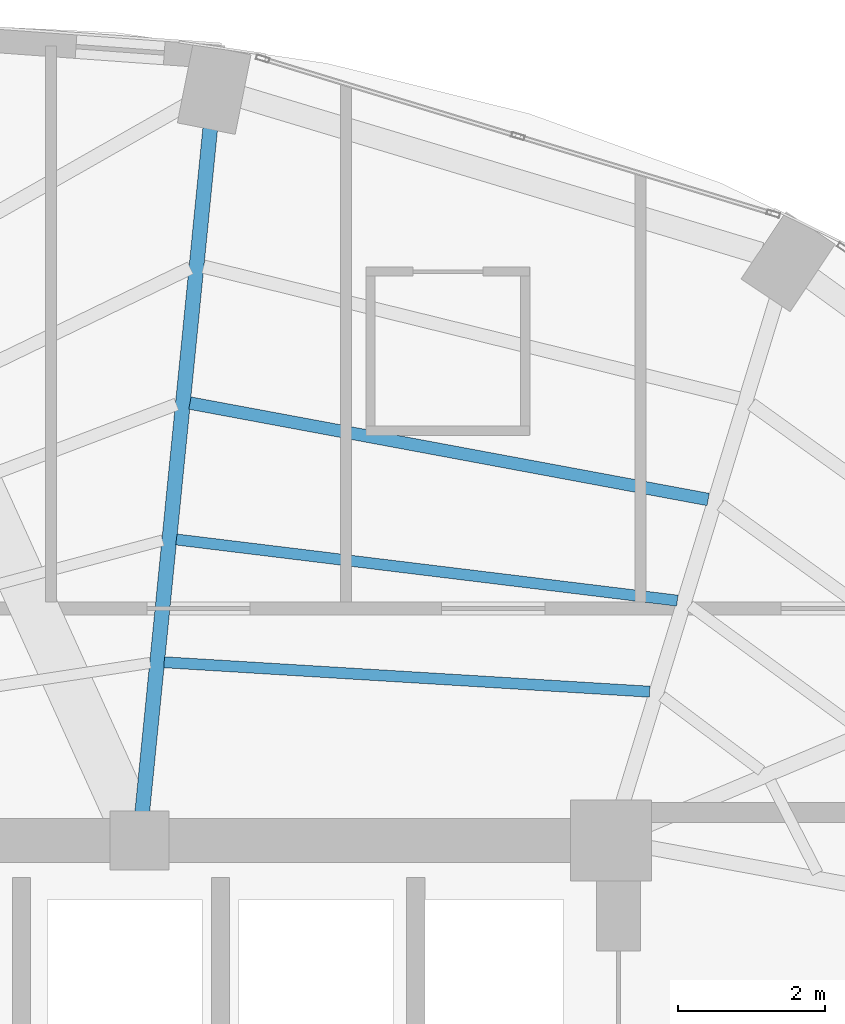
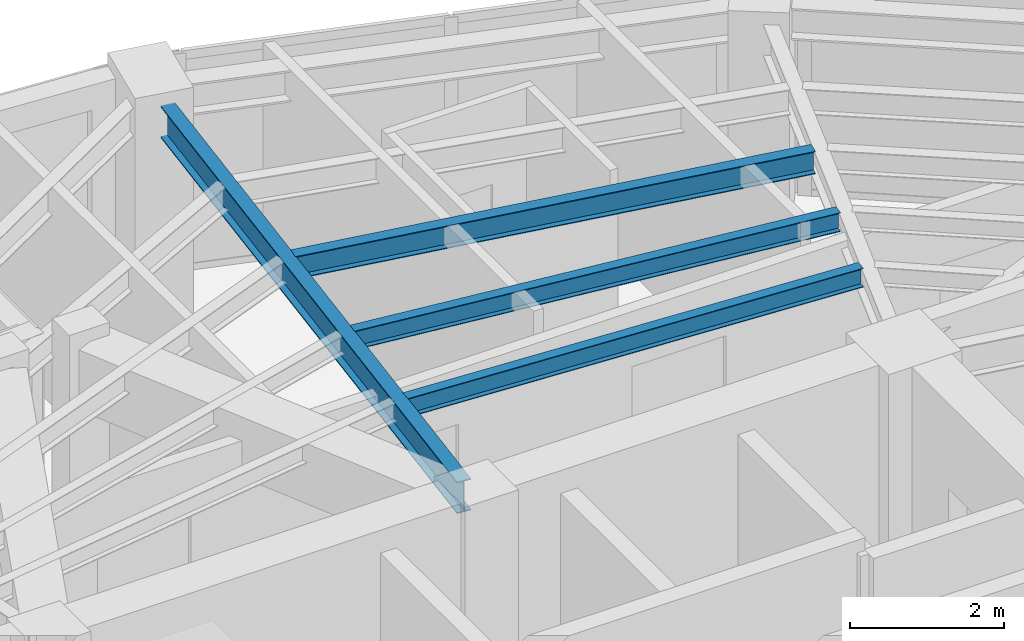
# One storey, part 12 of 23: 4 beams.
"""IFC4 building model written with IfcOpenShell, lengths in metres."""

from ifc_helpers import new_model, si_unit, direction, frame, origin, origin_2d, place, context, subcontext, project, spatial, i_section, extrude, material, material_profile, profile_set, type_object, element, save


model = new_model("IFC4")

# Units and contexts
model_context = context("Model", 3, precision=1e-05, world=origin(), true_north=direction((0.0, 1.0)))
body_context = subcontext(model_context, "Body", "Model", "MODEL_VIEW")
ifc_project = project(units=[si_unit("LENGTHUNIT", "METRE"), si_unit("AREAUNIT", "SQUARE_METRE"), si_unit("VOLUMEUNIT", "CUBIC_METRE"), si_unit("PLANEANGLEUNIT", "RADIAN"), si_unit("MASSUNIT", "GRAM", prefix="KILO")], contexts=[model_context])

# Site, building, storey
site_placement = place(None, origin())
site = spatial("IfcSite", under=ifc_project, at=site_placement, CompositionType="ELEMENT")
building_placement = place(site_placement, origin())
building = spatial("IfcBuilding", under=site, at=building_placement, Name="Lazwardi Medical Tower", CompositionType="ELEMENT")
storey_placement = place(building_placement, frame((0.0, 0.0, 202.1279296875)))
storey = spatial("IfcBuildingStorey", under=building, at=storey_placement, Name="L52", CompositionType="ELEMENT", Elevation=202.1279296875)

# Beams
ifc_material = material(Name="Steel S355", Category="steel")
ifc_material_profile_1 = material_profile(ifc_material, i_section(OverallWidth=0.199951171875, OverallDepth=0.5, WebThickness=0.01025390625, FlangeThickness=0.01611328125, at=origin_2d()), Name="IPE 500")
ifc_profile_set_1 = profile_set([ifc_material_profile_1], Name="Steel S355")
beam_type_1 = type_object("IfcBeamType", Name="BM-RG-W3", PredefinedType="BEAM", material=ifc_profile_set_1)
beam_1_placement = place(storey_placement, frame((40.1611328125, 45.265869140625, 3.197998046875), z_axis=(-0.098954361922, -0.995091972763, 0.0), x_axis=(0.995091972763, -0.098954361922, 0.0)))
element("IfcBeam", 1, at=beam_1_placement, inside=storey, type_object=beam_type_1, Name="Radial girder RG-04 R08 L52", PredefinedType="BEAM", context=body_context, shape_type="SweptSolid", body=[
    extrude(i_section(OverallWidth=0.199951171875, OverallDepth=0.5, WebThickness=0.01025390625, FlangeThickness=0.01611328125, at=origin_2d()), origin(), (0.0, 0.0, 1.0), 9.32861328125),
])
ifc_material_profile_2 = material_profile(ifc_material, i_section(OverallWidth=0.169921875, OverallDepth=0.360107421875, WebThickness=0.008056640625, FlangeThickness=0.0126953125, at=origin_2d()), Name="IPE 360")
ifc_profile_set_2 = profile_set([ifc_material_profile_2], Name="Steel S355")
beam_type_2 = type_object("IfcBeamType", Name="BM-SJ-02", PredefinedType="JOIST", material=ifc_profile_set_2)
beam_2_placement = place(storey_placement, frame((46.91552734375, 40.2275390625, 3.26806640625), z_axis=(-0.983132476587, 0.182894870019, 0.0), x_axis=(-0.182894870019, -0.983132476587, 0.0)))
element("IfcBeam", 2, at=beam_2_placement, inside=storey, type_object=beam_type_2, Name="Secondary joist SJ-02 R2 B07 L52", PredefinedType="JOIST", context=body_context, shape_type="SweptSolid", body=[
    extrude(i_section(OverallWidth=0.169921875, OverallDepth=0.360107421875, WebThickness=0.008056640625, FlangeThickness=0.0126953125, at=origin_2d()), origin(), (0.0, 0.0, 1.0), 7.15087890625),
])
ifc_material_profile_3 = material_profile(ifc_material, i_section(OverallWidth=0.14990234375, OverallDepth=0.300048828125, WebThickness=0.007080078125, FlangeThickness=0.0107421875, at=origin_2d()), Name="IPE 300")
ifc_profile_set_3 = profile_set([ifc_material_profile_3], Name="Steel S355")
beam_type_3 = type_object("IfcBeamType", Name="BM-SJ-03", PredefinedType="JOIST", material=ifc_profile_set_3)
beam_3_placement = place(storey_placement, frame((46.4970703125, 38.85546875, 3.298095703125), z_axis=(-0.992634689535, 0.121146081783, 0.0), x_axis=(-0.121146081783, -0.992634689535, 0.0)))
element("IfcBeam", 3, at=beam_3_placement, inside=storey, type_object=beam_type_3, Name="Secondary joist SJ-03 R3 B07 L52", PredefinedType="JOIST", context=body_context, shape_type="SweptSolid", body=[
    extrude(i_section(OverallWidth=0.14990234375, OverallDepth=0.300048828125, WebThickness=0.007080078125, FlangeThickness=0.0107421875, at=origin_2d()), origin(), (0.0, 0.0, 1.0), 6.845947265625),
])
beam_4_placement = place(storey_placement, frame((46.120849609375, 37.6201171875, 3.298095703125), z_axis=(-0.998165515862, 0.060544223044, 0.0), x_axis=(-0.060544223044, -0.998165515862, 0.0)))
element("IfcBeam", 4, at=beam_4_placement, inside=storey, type_object=beam_type_3, Name="Secondary joist SJ-03 R4 B07 L52", PredefinedType="JOIST", context=body_context, shape_type="SweptSolid", body=[
    extrude(i_section(OverallWidth=0.14990234375, OverallDepth=0.300048828125, WebThickness=0.007080078125, FlangeThickness=0.0107421875, at=origin_2d()), origin(), (0.0, 0.0, 1.0), 6.59716796875),
])

save(model, "model.ifc")
